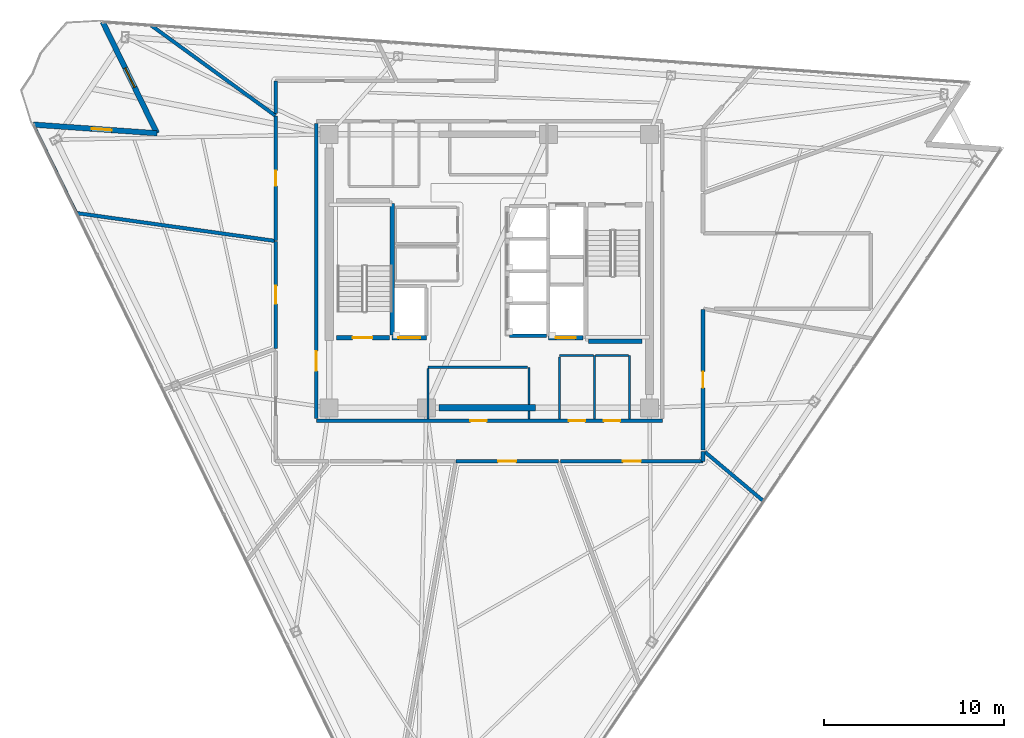
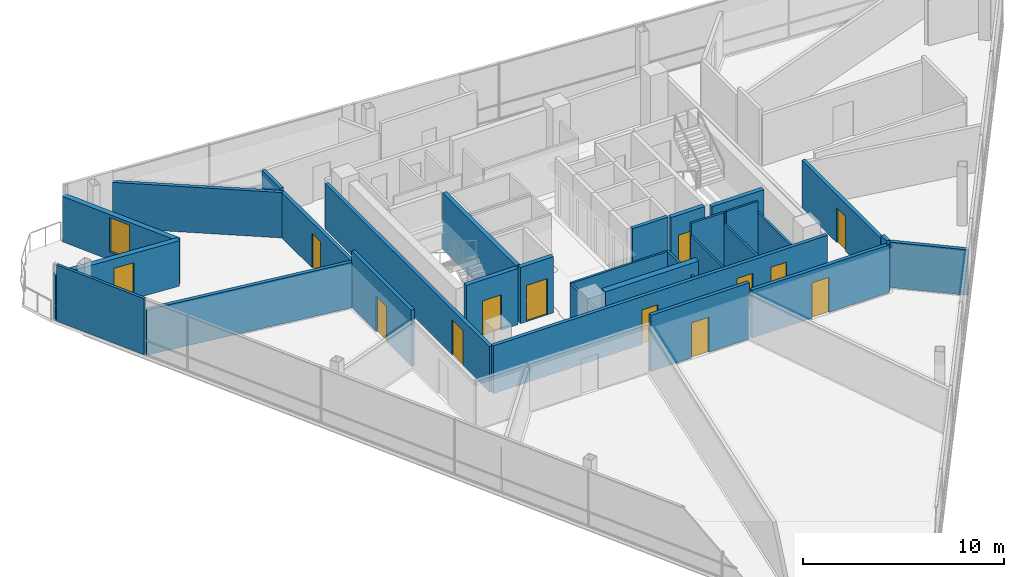
# One storey, part 9 of 14: 31 walls, 13 doors, 1 window, 14 openings.
"""IFC4 building model written with IfcOpenShell, lengths in metres."""

from ifc_helpers import new_model, si_unit, direction, frame, frame_2d, origin, place, context, subcontext, project, spatial, rectangle, extrude, material, layer, layer_set, type_object, element, fill, save


model = new_model("IFC4")

# Units and contexts
model_context = context("Model", 3, precision=1e-05, world=origin(), true_north=direction((0.0, 1.0)))
body_context = subcontext(model_context, "Body", "Model", "MODEL_VIEW")
ifc_project = project(units=[si_unit("LENGTHUNIT", "METRE"), si_unit("AREAUNIT", "SQUARE_METRE"), si_unit("VOLUMEUNIT", "CUBIC_METRE"), si_unit("PLANEANGLEUNIT", "RADIAN"), si_unit("MASSUNIT", "GRAM", prefix="KILO")], contexts=[model_context])

# Site, building, storey
site_placement = place(None, origin())
site = spatial("IfcSite", under=ifc_project, at=site_placement, CompositionType="ELEMENT")
building_placement = place(site_placement, origin())
building = spatial("IfcBuilding", under=site, at=building_placement, Name="Tharavind Bronze Gate", CompositionType="ELEMENT")
storey_placement = place(building_placement, frame((0.0, 0.0, 237.85009765625)))
storey = spatial("IfcBuildingStorey", under=building, at=storey_placement, Name="L61", CompositionType="ELEMENT", Elevation=237.85009765625)

# Wall, opening, window
ifc_material_1 = material(Name="Concrete C40/50", Category="concrete")
ifc_layer_1 = layer(ifc_material_1, 0.300048828125)
ifc_layer_set_1 = layer_set([ifc_layer_1], Name="Concrete C40/50")
wall_type_1 = type_object("IfcWallType", Name="EXTERIOR SPANDREL WALL 300", PredefinedType="STANDARD", material=ifc_layer_set_1)
wall_1_placement = place(storey_placement, frame((-21.489990234375, 13.844482421875, 0.0), z_axis=(0.0, 0.0, 1.0), x_axis=(0.438391471143, -0.898784133165, 0.0)))
wall_1 = element("IfcWall", 1, at=wall_1_placement, inside=storey, type_object=wall_type_1, Name="L61 notch cheek wall 1A", PredefinedType="STANDARD", context=body_context, shape_type="SweptSolid", body=[
    extrude(rectangle(XDim=6.8798828125, YDim=0.300048828125, at=frame_2d((3.43994140625, 0.0))), origin(), (0.0, 0.0, 1.0), 2.764892578125),
])
opening_1_placement = place(wall_1_placement, frame((2.840087890625, 0.0, 0.485107421875)))
opening_1 = element("IfcOpeningElement", 2, at=opening_1_placement, cuts=wall_1, Name="Opening W01", PredefinedType="OPENING", context=body_context, shape_type="SweptSolid", body=[
    extrude(rectangle(XDim=1.199951171875, YDim=2.10009765625, at=frame_2d((0.60009765625, 1.050048828125))), frame((0.0, 0.15990234375, 0.0), z_axis=(0.0, -1.0, 0.0), x_axis=(1.0, 0.0, 0.0)), (0.0, 0.0, 1.0), 0.320048828125),
])
ifc_material_2 = material(Name="Bronze Aluminium & Low-E Glass", Category="aluminium")
window_type = type_object("IfcWindowType", Name="FIXED BRONZE CASEMENT WINDOW 1200X2100", PartitioningType="SINGLE_PANEL", PredefinedType="WINDOW", material=ifc_material_2)
window_placement = place(opening_1_placement, origin())
window = element("IfcWindow", 3, at=window_placement, inside=storey, type_object=window_type, Name="L61 exterior window WL-L61-NCB1-01", OverallHeight=2.10009765625, OverallWidth=1.199951171875, PartitioningType="SINGLE_PANEL", PredefinedType="WINDOW", context=body_context, shape_type="SweptSolid", body=[
    extrude(rectangle(XDim=1.199951171875, YDim=2.10009765625, at=frame_2d((0.60009765625, 1.050048828125))), frame((0.0, 0.030029296875, 0.0), z_axis=(0.0, -1.0, 0.0), x_axis=(1.0, 0.0, 0.0)), (0.0, 0.0, 1.0), 0.06005859375),
])
fill(opening_1, window)

# Wall, opening, door
wall_2_placement = place(storey_placement, frame((-18.473876953125, 7.660888671875, 0.0), z_axis=(0.0, 0.0, 1.0), x_axis=(-0.997565982203, 0.069728840176, 0.0)))
wall_2 = element("IfcWall", 4, at=wall_2_placement, inside=storey, type_object=wall_type_1, Name="L61 notch cheek wall 1B", PredefinedType="STANDARD", context=body_context, shape_type="SweptSolid", body=[
    extrude(rectangle(XDim=6.880126953125, YDim=0.300048828125, at=frame_2d((3.43994140625, 0.0))), origin(), (0.0, 0.0, 1.0), 2.764892578125),
])
opening_2_placement = place(wall_2_placement, frame((2.531982421875, 0.0, 0.0)))
opening_2 = element("IfcOpeningElement", 5, at=opening_2_placement, cuts=wall_2, Name="Opening ED04", PredefinedType="OPENING", context=body_context, shape_type="SweptSolid", body=[
    extrude(rectangle(XDim=1.10009765625, YDim=2.199951171875, at=frame_2d((0.550048828125, 1.10009765625))), frame((0.0, 0.15990234375, 0.0), z_axis=(0.0, -1.0, 0.0), x_axis=(1.0, 0.0, 0.0)), (0.0, 0.0, 1.0), 0.320048828125),
])
ifc_material_3 = material(Name="Bronze Aluminium & Toughened Glass", Category="aluminium")
door_type_1 = type_object("IfcDoorType", Name="TREE BALCONY ACCESS DOOR 1100X2200", OperationType="SINGLE_SWING_LEFT", PredefinedType="DOOR", material=ifc_material_3)
door_1_placement = place(opening_2_placement, frame((1.10009765625, 0.0, 0.0), z_axis=(0.0, 0.0, 1.0), x_axis=(-1.0, 0.0, 0.0)))
door_1 = element("IfcDoor", 6, at=door_1_placement, inside=storey, type_object=door_type_1, Name="L61 tree balcony access door", OperationType="SINGLE_SWING_LEFT", OverallHeight=2.199951171875, OverallWidth=1.10009765625, PredefinedType="DOOR", context=body_context, shape_type="SweptSolid", body=[
    extrude(rectangle(XDim=1.10009765625, YDim=2.199951171875, at=frame_2d((0.550048828125, 1.10009765625))), frame((0.0, 0.02490234375, 0.0), z_axis=(0.0, -1.0, 0.0), x_axis=(1.0, 0.0, 0.0)), (0.0, 0.0, 1.0), 0.050048828125),
])
fill(opening_2, door_1)

# Wall, openings, doors
ifc_material_4 = material(Name="Aerated Concrete Block", Category="concrete")
ifc_layer_2 = layer(ifc_material_4, 0.199951171875)
ifc_layer_set_2 = layer_set([ifc_layer_2], Name="Aerated Concrete Block")
wall_type_2 = type_object("IfcWallType", Name="FIRE RATED PARTITION 200", PredefinedType="PARTITIONING", material=ifc_layer_set_2)
wall_3_placement = place(storey_placement, frame((-9.6201171875, -8.320068359375, 0.0), z_axis=(0.0, 0.0, 1.0), x_axis=(1.0, 0.0, 0.0)))
wall_3 = element("IfcWall", 7, at=wall_3_placement, inside=storey, type_object=wall_type_2, Name="L61 south core corridor wall", PredefinedType="PARTITIONING", context=body_context, shape_type="SweptSolid", body=[
    extrude(rectangle(XDim=19.240234375, YDim=0.199951171875, at=frame_2d((9.6201171875, 0.0))), origin(), (0.0, 0.0, 1.0), 2.914794921875),
])
opening_3_placement = place(wall_3_placement, frame((8.570068359375, 0.0, 0.0)))
opening_3 = element("IfcOpeningElement", 8, at=opening_3_placement, cuts=wall_3, Name="Opening ID07", PredefinedType="OPENING", context=body_context, shape_type="SweptSolid", body=[
    extrude(rectangle(XDim=0.89990234375, YDim=2.10009765625, at=frame_2d((0.449951171875, 1.050048828125))), frame((0.0, 0.11009765625, 0.0), z_axis=(0.0, -1.0, 0.0), x_axis=(1.0, 0.0, 0.0)), (0.0, 0.0, 1.0), 0.219951171875),
])
opening_4_placement = place(wall_3_placement, frame((14.044921875, 0.0, 0.0)))
opening_4 = element("IfcOpeningElement", 9, at=opening_4_placement, cuts=wall_3, Name="Opening ID07", PredefinedType="OPENING", context=body_context, shape_type="SweptSolid", body=[
    extrude(rectangle(XDim=0.89990234375, YDim=2.10009765625, at=frame_2d((0.449951171875, 1.050048828125))), frame((0.0, 0.11009765625, 0.0), z_axis=(0.0, -1.0, 0.0), x_axis=(1.0, 0.0, 0.0)), (0.0, 0.0, 1.0), 0.219951171875),
])
opening_5_placement = place(wall_3_placement, frame((15.9951171875, 0.0, 0.0)))
opening_5 = element("IfcOpeningElement", 10, at=opening_5_placement, cuts=wall_3, Name="Opening ID07", PredefinedType="OPENING", context=body_context, shape_type="SweptSolid", body=[
    extrude(rectangle(XDim=0.89990234375, YDim=2.10009765625, at=frame_2d((0.449951171875, 1.050048828125))), frame((0.0, 0.11009765625, 0.0), z_axis=(0.0, -1.0, 0.0), x_axis=(1.0, 0.0, 0.0)), (0.0, 0.0, 1.0), 0.219951171875),
])
ifc_material_5 = material(Name="Galvanised Fire Steel", Category="steel")
door_type_2 = type_object("IfcDoorType", Name="PLANT AND RISER FIRE DOOR 900X2100", OperationType="SINGLE_SWING_LEFT", PredefinedType="DOOR", material=ifc_material_5)
door_2_placement = place(opening_3_placement, origin())
door_2 = element("IfcDoor", 11, at=door_2_placement, inside=storey, type_object=door_type_2, Name="L61 Core BMS Control Room fire door", OperationType="SINGLE_SWING_LEFT", OverallHeight=2.10009765625, OverallWidth=0.89990234375, PredefinedType="DOOR", context=body_context, shape_type="SweptSolid", body=[
    extrude(rectangle(XDim=0.89990234375, YDim=2.10009765625, at=frame_2d((0.449951171875, 1.050048828125))), frame((0.0, 0.02490234375, 0.0), z_axis=(0.0, -1.0, 0.0), x_axis=(1.0, 0.0, 0.0)), (0.0, 0.0, 1.0), 0.050048828125),
])
fill(opening_3, door_2)
door_3_placement = place(opening_4_placement, origin())
door_3 = element("IfcDoor", 12, at=door_3_placement, inside=storey, type_object=door_type_2, Name="L61 Comms Patch Room fire door", OperationType="SINGLE_SWING_LEFT", OverallHeight=2.10009765625, OverallWidth=0.89990234375, PredefinedType="DOOR", context=body_context, shape_type="SweptSolid", body=[
    extrude(rectangle(XDim=0.89990234375, YDim=2.10009765625, at=frame_2d((0.449951171875, 1.050048828125))), frame((0.0, 0.02490234375, 0.0), z_axis=(0.0, -1.0, 0.0), x_axis=(1.0, 0.0, 0.0)), (0.0, 0.0, 1.0), 0.050048828125),
])
fill(opening_4, door_3)
door_4_placement = place(opening_5_placement, origin())
door_4 = element("IfcDoor", 13, at=door_4_placement, inside=storey, type_object=door_type_2, Name="L61 Housekeeping Store fire door", OperationType="SINGLE_SWING_LEFT", OverallHeight=2.10009765625, OverallWidth=0.89990234375, PredefinedType="DOOR", context=body_context, shape_type="SweptSolid", body=[
    extrude(rectangle(XDim=0.89990234375, YDim=2.10009765625, at=frame_2d((0.449951171875, 1.050048828125))), frame((0.0, 0.02490234375, 0.0), z_axis=(0.0, -1.0, 0.0), x_axis=(1.0, 0.0, 0.0)), (0.0, 0.0, 1.0), 0.050048828125),
])
fill(opening_5, door_4)

# Wall, opening, door
wall_4_placement = place(storey_placement, frame((-9.6201171875, 8.199951171875, 0.0), z_axis=(0.0, 0.0, 1.0), x_axis=(0.0, -1.0, 0.0)))
wall_4 = element("IfcWall", 14, at=wall_4_placement, inside=storey, type_object=wall_type_2, Name="L61 west core corridor wall", PredefinedType="PARTITIONING", context=body_context, shape_type="SweptSolid", body=[
    extrude(rectangle(XDim=16.39990234375, YDim=0.199951171875, at=frame_2d((8.199951171875, 0.0))), origin(), (0.0, 0.0, 1.0), 2.764892578125),
])
opening_6_placement = place(wall_4_placement, frame((12.64990234375, 0.0, 0.0)))
opening_6 = element("IfcOpeningElement", 15, at=opening_6_placement, cuts=wall_4, Name="Opening ID01", PredefinedType="OPENING", context=body_context, shape_type="SweptSolid", body=[
    extrude(rectangle(XDim=1.10009765625, YDim=2.14990234375, at=frame_2d((0.550048828125, 1.074951171875))), frame((0.0, 0.11009765625, 0.0), z_axis=(0.0, -1.0, 0.0), x_axis=(1.0, 0.0, 0.0)), (0.0, 0.0, 1.0), 0.219951171875),
])
ifc_material_6 = material(Name="Fire-Rated Steel", Category="steel")
door_type_3 = type_object("IfcDoorType", Name="STAIR CORE FIRE DOOR 1100X2150", OperationType="SINGLE_SWING_LEFT", PredefinedType="DOOR", material=ifc_material_6)
door_5_placement = place(opening_6_placement, frame((1.10009765625, 0.0, 0.0), z_axis=(0.0, 0.0, 1.0), x_axis=(-1.0, 0.0, 0.0)))
door_5 = element("IfcDoor", 16, at=door_5_placement, inside=storey, type_object=door_type_3, Name="L61 south west stair lobby fire door", OperationType="SINGLE_SWING_LEFT", OverallHeight=2.14990234375, OverallWidth=1.10009765625, PredefinedType="DOOR", context=body_context, shape_type="SweptSolid", body=[
    extrude(rectangle(XDim=1.10009765625, YDim=2.14990234375, at=frame_2d((0.550048828125, 1.074951171875))), frame((0.0, 0.02490234375, 0.0), z_axis=(0.0, -1.0, 0.0), x_axis=(1.0, 0.0, 0.0)), (0.0, 0.0, 1.0), 0.050048828125),
])
fill(opening_6, door_5)

# Wall
wall_5_placement = place(storey_placement, frame((-18.790283203125, 13.65185546875, 0.0), z_axis=(0.0, 0.0, 1.0), x_axis=(0.809024412074, -0.58777504257, 0.0)))
element("IfcWall", 17, at=wall_5_placement, inside=storey, type_object=wall_type_2, Name="L61 Public Restrooms Block partition", PredefinedType="PARTITIONING", context=body_context, shape_type="SweptSolid", body=[
    extrude(rectangle(XDim=8.528564453125, YDim=0.199951171875, at=frame_2d((4.26416015625, 0.0))), origin(), (0.0, 0.0, 1.0), 2.764892578125),
])

# Wall, opening, door
wall_6_placement = place(storey_placement, frame((-11.8798828125, 8.61865234375, 0.0), z_axis=(0.0, 0.0, 1.0), x_axis=(0.0, -1.0, 0.0)))
wall_6 = element("IfcWall", 18, at=wall_6_placement, inside=storey, type_object=wall_type_2, Name="L61 Public Restrooms Block partition", PredefinedType="PARTITIONING", context=body_context, shape_type="SweptSolid", body=[
    extrude(rectangle(XDim=6.920166015625, YDim=0.199951171875, at=frame_2d((3.4599609375, 0.0))), origin(), (0.0, 0.0, 1.0), 2.764892578125),
])
opening_7_placement = place(wall_6_placement, frame((3.034912109375, 0.0, 0.0)))
opening_7 = element("IfcOpeningElement", 19, at=opening_7_placement, cuts=wall_6, Name="Opening ID06", PredefinedType="OPENING", context=body_context, shape_type="SweptSolid", body=[
    extrude(rectangle(XDim=0.85009765625, YDim=2.10009765625, at=frame_2d((0.425048828125, 1.050048828125))), frame((0.0, 0.11009765625, 0.0), z_axis=(0.0, -1.0, 0.0), x_axis=(1.0, 0.0, 0.0)), (0.0, 0.0, 1.0), 0.219951171875),
])
ifc_material_7 = material(Name="Moisture-Resistant Timber", Category="wood")
door_type_4 = type_object("IfcDoorType", Name="BATHROOM PRIVACY DOOR 850X2100", OperationType="SINGLE_SWING_RIGHT", PredefinedType="DOOR", material=ifc_material_7)
door_6_placement = place(opening_7_placement, origin())
door_6 = element("IfcDoor", 20, at=door_6_placement, inside=storey, type_object=door_type_4, Name="L61 Public Restrooms Block door", OperationType="SINGLE_SWING_RIGHT", OverallHeight=2.10009765625, OverallWidth=0.85009765625, PredefinedType="DOOR", context=body_context, shape_type="SweptSolid", body=[
    extrude(rectangle(XDim=0.85009765625, YDim=2.10009765625, at=frame_2d((0.425048828125, 1.050048828125))), frame((0.0, 0.02490234375, 0.0), z_axis=(0.0, -1.0, 0.0), x_axis=(1.0, 0.0, 0.0)), (0.0, 0.0, 1.0), 0.050048828125),
])
fill(opening_7, door_6)

# Walls
wall_7_placement = place(storey_placement, frame((-11.908447265625, 1.673583984375, 0.0), z_axis=(0.0, 0.0, 1.0), x_axis=(-0.990268632002, 0.139169093096, 0.0)))
element("IfcWall", 21, at=wall_7_placement, inside=storey, type_object=wall_type_2, Name="L61 Public Restrooms Block partition", PredefinedType="PARTITIONING", context=body_context, shape_type="SweptSolid", body=[
    extrude(rectangle(XDim=11.12548828125, YDim=0.199951171875, at=frame_2d((5.562744140625, 0.0))), origin(), (0.0, 0.0, 1.0), 2.764892578125),
])
wall_8_placement = place(storey_placement, frame((-11.8798828125, 10.579345703125, 0.0), z_axis=(0.0, 0.0, 1.0), x_axis=(0.0, -1.0, 0.0)))
element("IfcWall", 22, at=wall_8_placement, inside=storey, type_object=wall_type_2, Name="L61 Advisory Office 2 partition", PredefinedType="PARTITIONING", context=body_context, shape_type="SweptSolid", body=[
    extrude(rectangle(XDim=1.818359375, YDim=0.199951171875, at=frame_2d((0.9091796875, 0.0))), origin(), (0.0, 0.0, 1.0), 2.914794921875),
])

# Wall, opening, door
wall_9_placement = place(storey_placement, frame((-11.8798828125, 1.64794921875, 0.0), z_axis=(0.0, 0.0, 1.0), x_axis=(0.0, -1.0, 0.0)))
wall_9 = element("IfcWall", 23, at=wall_9_placement, inside=storey, type_object=wall_type_2, Name="L61 Project Office 3 partition", PredefinedType="PARTITIONING", context=body_context, shape_type="SweptSolid", body=[
    extrude(rectangle(XDim=5.954345703125, YDim=0.199951171875, at=frame_2d((2.97705078125, 0.0))), origin(), (0.0, 0.0, 1.0), 3.419921875),
])
opening_8_placement = place(wall_9_placement, frame((2.47705078125, 0.0, 0.0)))
opening_8 = element("IfcOpeningElement", 24, at=opening_8_placement, cuts=wall_9, Name="Opening ID04", PredefinedType="OPENING", context=body_context, shape_type="SweptSolid", body=[
    extrude(rectangle(XDim=1.0, YDim=2.14990234375, at=frame_2d((0.5, 1.074951171875))), frame((0.0, 0.11009765625, 0.0), z_axis=(0.0, -1.0, 0.0), x_axis=(1.0, 0.0, 0.0)), (0.0, 0.0, 1.0), 0.219951171875),
])
ifc_material_8 = material(Name="Bronze Framed Acoustic Timber", Category="wood")
door_type_5 = type_object("IfcDoorType", Name="OFFICE TENANCY DOOR 1000X2150", OperationType="SINGLE_SWING_RIGHT", PredefinedType="DOOR", material=ifc_material_8)
door_7_placement = place(opening_8_placement, origin())
door_7 = element("IfcDoor", 25, at=door_7_placement, inside=storey, type_object=door_type_5, Name="L61 Project Office 3 door", OperationType="SINGLE_SWING_RIGHT", OverallHeight=2.14990234375, OverallWidth=1.0, PredefinedType="DOOR", context=body_context, shape_type="SweptSolid", body=[
    extrude(rectangle(XDim=1.0, YDim=2.14990234375, at=frame_2d((0.5, 1.074951171875))), frame((0.0, 0.02490234375, 0.0), z_axis=(0.0, -1.0, 0.0), x_axis=(1.0, 0.0, 0.0)), (0.0, 0.0, 1.0), 0.050048828125),
])
fill(opening_8, door_7)

wall_10_placement = place(storey_placement, frame((-1.844482421875, -10.580078125, 0.0), z_axis=(0.0, 0.0, 1.0), x_axis=(1.0, 0.0, 0.0)))
wall_10 = element("IfcWall", 26, at=wall_10_placement, inside=storey, type_object=wall_type_2, Name="L61 Research Office 6 partition", PredefinedType="PARTITIONING", context=body_context, shape_type="SweptSolid", body=[
    extrude(rectangle(XDim=5.677734375, YDim=0.199951171875, at=frame_2d((2.8388671875, 0.0))), origin(), (0.0, 0.0, 1.0), 3.419921875),
])
opening_9_placement = place(wall_10_placement, frame((2.339111328125, 0.0, 0.0)))
opening_9 = element("IfcOpeningElement", 27, at=opening_9_placement, cuts=wall_10, Name="Opening ID04", PredefinedType="OPENING", context=body_context, shape_type="SweptSolid", body=[
    extrude(rectangle(XDim=1.0, YDim=2.14990234375, at=frame_2d((0.5, 1.074951171875))), frame((0.0, 0.11009765625, 0.0), z_axis=(0.0, -1.0, 0.0), x_axis=(1.0, 0.0, 0.0)), (0.0, 0.0, 1.0), 0.219951171875),
])
door_8_placement = place(opening_9_placement, origin())
door_8 = element("IfcDoor", 28, at=door_8_placement, inside=storey, type_object=door_type_5, Name="L61 Research Office 6 door", OperationType="SINGLE_SWING_RIGHT", OverallHeight=2.14990234375, OverallWidth=1.0, PredefinedType="DOOR", context=body_context, shape_type="SweptSolid", body=[
    extrude(rectangle(XDim=1.0, YDim=2.14990234375, at=frame_2d((0.5, 1.074951171875))), frame((0.0, 0.02490234375, 0.0), z_axis=(0.0, -1.0, 0.0), x_axis=(1.0, 0.0, 0.0)), (0.0, 0.0, 1.0), 0.050048828125),
])
fill(opening_9, door_8)

wall_11_placement = place(storey_placement, frame((3.962646484375, -10.580078125, 0.0), z_axis=(0.0, 0.0, 1.0), x_axis=(1.0, 0.0, 0.0)))
wall_11 = element("IfcWall", 29, at=wall_11_placement, inside=storey, type_object=wall_type_2, Name="L61 Open Office partition", PredefinedType="PARTITIONING", context=body_context, shape_type="SweptSolid", body=[
    extrude(rectangle(XDim=7.916748046875, YDim=0.199951171875, at=frame_2d((3.95849609375, 0.0))), origin(), (0.0, 0.0, 1.0), 2.914794921875),
])
opening_10_placement = place(wall_11_placement, frame((3.4580078125, 0.0, 0.0)))
opening_10 = element("IfcOpeningElement", 30, at=opening_10_placement, cuts=wall_11, Name="Opening ID04", PredefinedType="OPENING", context=body_context, shape_type="SweptSolid", body=[
    extrude(rectangle(XDim=1.0, YDim=2.14990234375, at=frame_2d((0.5, 1.074951171875))), frame((0.0, 0.11009765625, 0.0), z_axis=(0.0, -1.0, 0.0), x_axis=(1.0, 0.0, 0.0)), (0.0, 0.0, 1.0), 0.219951171875),
])
door_9_placement = place(opening_10_placement, origin())
door_9 = element("IfcDoor", 31, at=door_9_placement, inside=storey, type_object=door_type_5, Name="L61 Open Office door", OperationType="SINGLE_SWING_RIGHT", OverallHeight=2.14990234375, OverallWidth=1.0, PredefinedType="DOOR", context=body_context, shape_type="SweptSolid", body=[
    extrude(rectangle(XDim=1.0, YDim=2.14990234375, at=frame_2d((0.5, 1.074951171875))), frame((0.0, 0.02490234375, 0.0), z_axis=(0.0, -1.0, 0.0), x_axis=(1.0, 0.0, 0.0)), (0.0, 0.0, 1.0), 0.050048828125),
])
fill(opening_10, door_9)

# Walls
wall_12_placement = place(storey_placement, frame((11.8798828125, -10.579345703125, 0.0), z_axis=(0.0, 0.0, 1.0), x_axis=(0.0, 1.0, 0.0)))
element("IfcWall", 32, at=wall_12_placement, inside=storey, type_object=wall_type_2, Name="L61 Open Office partition", PredefinedType="PARTITIONING", context=body_context, shape_type="SweptSolid", body=[
    extrude(rectangle(XDim=0.55712890625, YDim=0.199951171875, at=frame_2d((0.278564453125, 0.0))), origin(), (0.0, 0.0, 1.0), 3.114990234375),
])
wall_13_placement = place(storey_placement, frame((11.985107421875, -10.056640625, 0.0), z_axis=(0.0, 0.0, 1.0), x_axis=(0.766014391555, -0.642823422045, 0.0)))
element("IfcWall", 33, at=wall_13_placement, inside=storey, type_object=wall_type_2, Name="L61 Open Office partition", PredefinedType="PARTITIONING", context=body_context, shape_type="SweptSolid", body=[
    extrude(rectangle(XDim=4.22509765625, YDim=0.199951171875, at=frame_2d((2.112548828125, 0.0))), origin(), (0.0, 0.0, 1.0), 2.764892578125),
])

# Wall, opening, door
wall_14_placement = place(storey_placement, frame((11.8798828125, -9.956787109375, 0.0), z_axis=(0.0, 0.0, 1.0), x_axis=(0.0, 1.0, 0.0)))
wall_14 = element("IfcWall", 34, at=wall_14_placement, inside=storey, type_object=wall_type_2, Name="L61 Reference Archive Store partition", PredefinedType="PARTITIONING", context=body_context, shape_type="SweptSolid", body=[
    extrude(rectangle(XDim=7.831787109375, YDim=0.199951171875, at=frame_2d((3.916015625, 0.0))), origin(), (0.0, 0.0, 1.0), 2.914794921875),
])
opening_11_placement = place(wall_14_placement, frame((3.466064453125, 0.0, 0.0)))
opening_11 = element("IfcOpeningElement", 35, at=opening_11_placement, cuts=wall_14, Name="Opening ID07", PredefinedType="OPENING", context=body_context, shape_type="SweptSolid", body=[
    extrude(rectangle(XDim=0.89990234375, YDim=2.10009765625, at=frame_2d((0.449951171875, 1.050048828125))), frame((0.0, 0.11009765625, 0.0), z_axis=(0.0, -1.0, 0.0), x_axis=(1.0, 0.0, 0.0)), (0.0, 0.0, 1.0), 0.219951171875),
])
door_10_placement = place(opening_11_placement, origin())
door_10 = element("IfcDoor", 36, at=door_10_placement, inside=storey, type_object=door_type_2, Name="L61 Reference Archive Store door", OperationType="SINGLE_SWING_LEFT", OverallHeight=2.10009765625, OverallWidth=0.89990234375, PredefinedType="DOOR", context=body_context, shape_type="SweptSolid", body=[
    extrude(rectangle(XDim=0.89990234375, YDim=2.10009765625, at=frame_2d((0.449951171875, 1.050048828125))), frame((0.0, 0.02490234375, 0.0), z_axis=(0.0, -1.0, 0.0), x_axis=(1.0, 0.0, 0.0)), (0.0, 0.0, 1.0), 0.050048828125),
])
fill(opening_11, door_10)

# Walls
ifc_material_9 = material(Name="Metal Stud Gypsum Partition", Category="gypsum")
ifc_layer_3 = layer(ifc_material_9, 0.1201171875)
ifc_layer_set_3 = layer_set([ifc_layer_3], Name="Metal Stud Gypsum Partition")
wall_type_3 = type_object("IfcWallType", Name="INTERIOR PARTITION WALL 120", PredefinedType="PARTITIONING", material=ifc_layer_set_3)
wall_15_placement = place(storey_placement, frame((2.199951171875, -8.215087890625, 0.0), z_axis=(0.0, 0.0, 1.0), x_axis=(0.0, 1.0, 0.0)))
element("IfcWall", 37, at=wall_15_placement, inside=storey, type_object=wall_type_3, Name="L61 Core BMS Control Room partition 2", PredefinedType="PARTITIONING", context=body_context, shape_type="SweptSolid", body=[
    extrude(rectangle(XDim=0.43505859375, YDim=0.1201171875, at=frame_2d((0.217529296875, 0.0))), origin(), (0.0, 0.0, 1.0), 2.71484375),
])
wall_16_placement = place(storey_placement, frame((2.199951171875, -7.419921875, 0.0), z_axis=(0.0, 0.0, 1.0), x_axis=(0.0, 1.0, 0.0)))
element("IfcWall", 38, at=wall_16_placement, inside=storey, type_object=wall_type_3, Name="L61 Core BMS Control Room partition 2", PredefinedType="PARTITIONING", context=body_context, shape_type="SweptSolid", body=[
    extrude(rectangle(XDim=2.06982421875, YDim=0.1201171875, at=frame_2d((1.034912109375, 0.0))), origin(), (0.0, 0.0, 1.0), 2.71484375),
])
wall_17_placement = place(storey_placement, frame((2.135009765625, -5.35009765625, 0.0), z_axis=(0.0, 0.0, 1.0), x_axis=(-1.0, 0.0, 0.0)))
element("IfcWall", 39, at=wall_17_placement, inside=storey, type_object=wall_type_3, Name="L61 Core BMS Control Room partition 3", PredefinedType="PARTITIONING", context=body_context, shape_type="SweptSolid", body=[
    extrude(rectangle(XDim=5.534912109375, YDim=0.1201171875, at=frame_2d((2.767578125, 0.0))), origin(), (0.0, 0.0, 1.0), 2.71484375),
])
wall_18_placement = place(storey_placement, frame((-3.39990234375, -5.4150390625, 0.0), z_axis=(0.0, 0.0, 1.0), x_axis=(0.0, -1.0, 0.0)))
element("IfcWall", 40, at=wall_18_placement, inside=storey, type_object=wall_type_3, Name="L61 Core BMS Control Room partition 4", PredefinedType="PARTITIONING", context=body_context, shape_type="SweptSolid", body=[
    extrude(rectangle(XDim=2.800048828125, YDim=0.1201171875, at=frame_2d((1.39990234375, 0.0))), origin(), (0.0, 0.0, 1.0), 2.71484375),
])
wall_19_placement = place(storey_placement, frame((5.85009765625, -8.215087890625, 0.0), z_axis=(0.0, 0.0, 1.0), x_axis=(0.0, 1.0, 0.0)))
element("IfcWall", 41, at=wall_19_placement, inside=storey, type_object=wall_type_3, Name="L61 Comms Patch Room partition 2", PredefinedType="PARTITIONING", context=body_context, shape_type="SweptSolid", body=[
    extrude(rectangle(XDim=3.51513671875, YDim=0.1201171875, at=frame_2d((1.757568359375, 0.0))), origin(), (0.0, 0.0, 1.0), 2.71484375),
])
wall_20_placement = place(storey_placement, frame((5.784912109375, -4.699951171875, 0.0), z_axis=(0.0, 0.0, 1.0), x_axis=(-1.0, 0.0, 0.0)))
element("IfcWall", 42, at=wall_20_placement, inside=storey, type_object=wall_type_3, Name="L61 Comms Patch Room partition 3", PredefinedType="PARTITIONING", context=body_context, shape_type="SweptSolid", body=[
    extrude(rectangle(XDim=1.885009765625, YDim=0.1201171875, at=frame_2d((0.9423828125, 0.0))), origin(), (0.0, 0.0, 1.0), 3.419921875),
])
wall_21_placement = place(storey_placement, frame((3.89990234375, -4.764892578125, 0.0), z_axis=(0.0, 0.0, 1.0), x_axis=(0.0, -1.0, 0.0)))
element("IfcWall", 43, at=wall_21_placement, inside=storey, type_object=wall_type_3, Name="L61 Comms Patch Room partition 4", PredefinedType="PARTITIONING", context=body_context, shape_type="SweptSolid", body=[
    extrude(rectangle(XDim=3.4501953125, YDim=0.1201171875, at=frame_2d((1.72509765625, 0.0))), origin(), (0.0, 0.0, 1.0), 2.71484375),
])
wall_22_placement = place(storey_placement, frame((7.800048828125, -8.215087890625, 0.0), z_axis=(0.0, 0.0, 1.0), x_axis=(0.0, 1.0, 0.0)))
element("IfcWall", 44, at=wall_22_placement, inside=storey, type_object=wall_type_3, Name="L61 Housekeeping Store partition 2", PredefinedType="PARTITIONING", context=body_context, shape_type="SweptSolid", body=[
    extrude(rectangle(XDim=3.51513671875, YDim=0.1201171875, at=frame_2d((1.757568359375, 0.0))), origin(), (0.0, 0.0, 1.0), 2.71484375),
])
wall_23_placement = place(storey_placement, frame((7.735107421875, -4.699951171875, 0.0), z_axis=(0.0, 0.0, 1.0), x_axis=(-1.0, 0.0, 0.0)))
element("IfcWall", 45, at=wall_23_placement, inside=storey, type_object=wall_type_3, Name="L61 Housekeeping Store partition 3", PredefinedType="PARTITIONING", context=body_context, shape_type="SweptSolid", body=[
    extrude(rectangle(XDim=1.820068359375, YDim=0.1201171875, at=frame_2d((0.91015625, 0.0))), origin(), (0.0, 0.0, 1.0), 3.419921875),
])
ifc_material_10 = material(Name="Twin Stud Acoustic Gypsum", Category="gypsum")
ifc_layer_4 = layer(ifc_material_10, 0.14990234375)
ifc_layer_set_4 = layer_set([ifc_layer_4], Name="Twin Stud Acoustic Gypsum")
wall_type_4 = type_object("IfcWallType", Name="INTERIOR PARTITION WALL 150", PredefinedType="PARTITIONING", material=ifc_layer_set_4)
wall_24_placement = place(storey_placement, frame((-22.94482421875, 3.23583984375, 0.0), z_axis=(0.0, 0.0, 1.0), x_axis=(-0.438366217032, 0.898796450686, 0.0)))
element("IfcWall", 46, at=wall_24_placement, inside=storey, type_object=wall_type_4, Name="L61 Public Restrooms Block partition", PredefinedType="PARTITIONING", context=body_context, shape_type="SweptSolid", body=[
    extrude(rectangle(XDim=5.278076171875, YDim=0.14990234375, at=frame_2d((2.63916015625, 0.0))), origin(), (0.0, 0.0, 1.0), 3.419921875),
])
ifc_material_11 = material(Name="Concrete C50/60", Category="concrete")
ifc_layer_5 = layer(ifc_material_11, 0.25)
ifc_layer_set_5 = layer_set([ifc_layer_5], Name="Concrete C50/60")
wall_type_5 = type_object("IfcWallType", Name="RC CORE SHEAR WALL 250", PredefinedType="SHEAR", material=ifc_layer_set_5)
wall_25_placement = place(storey_placement, frame((-5.39990234375, -3.550048828125, 0.0), z_axis=(0.0, 0.0, 1.0), x_axis=(0.0, 1.0, 0.0)))
element("IfcWall", 47, at=wall_25_placement, inside=storey, type_object=wall_type_5, Name="L61 ST1 shaft east wall", PredefinedType="SHEAR", context=body_context, shape_type="SweptSolid", body=[
    extrude(rectangle(XDim=7.300048828125, YDim=0.25, at=frame_2d((3.64990234375, 0.0))), origin(), (0.0, 0.0, 1.0), 3.419921875),
])

# Wall, opening, door
wall_26_placement = place(storey_placement, frame((-8.5, -3.699951171875, 0.0), z_axis=(0.0, 0.0, 1.0), x_axis=(1.0, 0.0, 0.0)))
wall_26 = element("IfcWall", 48, at=wall_26_placement, inside=storey, type_object=wall_type_5, Name="L61 ST1 shaft south wall", PredefinedType="SHEAR", context=body_context, shape_type="SweptSolid", body=[
    extrude(rectangle(XDim=2.949951171875, YDim=0.25, at=frame_2d((1.47509765625, 0.0))), origin(), (0.0, 0.0, 1.0), 3.419921875),
])
opening_12_placement = place(wall_26_placement, frame((0.89990234375, 0.0, 0.0)))
opening_12 = element("IfcOpeningElement", 49, at=opening_12_placement, cuts=wall_26, Name="Opening ID01", PredefinedType="OPENING", context=body_context, shape_type="SweptSolid", body=[
    extrude(rectangle(XDim=1.10009765625, YDim=2.14990234375, at=frame_2d((0.550048828125, 1.074951171875))), frame((0.0, 0.135, 0.0), z_axis=(0.0, -1.0, 0.0), x_axis=(1.0, 0.0, 0.0)), (0.0, 0.0, 1.0), 0.27),
])
door_11_placement = place(opening_12_placement, origin())
door_11 = element("IfcDoor", 50, at=door_11_placement, inside=storey, type_object=door_type_3, Name="L61 exit stair ST1 fire door", OperationType="SINGLE_SWING_LEFT", OverallHeight=2.14990234375, OverallWidth=1.10009765625, PredefinedType="DOOR", context=body_context, shape_type="SweptSolid", body=[
    extrude(rectangle(XDim=1.10009765625, YDim=2.14990234375, at=frame_2d((0.550048828125, 1.074951171875))), frame((0.0, 0.02490234375, 0.0), z_axis=(0.0, -1.0, 0.0), x_axis=(1.0, 0.0, 0.0)), (0.0, 0.0, 1.0), 0.050048828125),
])
fill(opening_12, door_11)

# Wall
wall_27_placement = place(storey_placement, frame((5.5, -3.89990234375, 0.0), z_axis=(0.0, 0.0, 1.0), x_axis=(1.0, 0.0, 0.0)))
element("IfcWall", 51, at=wall_27_placement, inside=storey, type_object=wall_type_5, Name="L61 ST2 shaft south wall", PredefinedType="SHEAR", context=body_context, shape_type="SweptSolid", body=[
    extrude(rectangle(XDim=3.0, YDim=0.25, at=frame_2d((1.5, 0.0))), origin(), (0.0, 0.0, 1.0), 3.419921875),
])

# Wall, opening, door
wall_28_placement = place(storey_placement, frame((-5.39990234375, -3.699951171875, 0.0), z_axis=(0.0, 0.0, 1.0), x_axis=(1.0, 0.0, 0.0)))
wall_28 = element("IfcWall", 52, at=wall_28_placement, inside=storey, type_object=wall_type_5, Name="L61 lift FFL1 shaft front wall", PredefinedType="SHEAR", context=body_context, shape_type="SweptSolid", body=[
    extrude(rectangle(XDim=1.89990234375, YDim=0.25, at=frame_2d((0.949951171875, 0.0))), origin(), (0.0, 0.0, 1.0), 3.419921875),
])
opening_13_placement = place(wall_28_placement, frame((0.35009765625, 0.0, 0.0)))
opening_13 = element("IfcOpeningElement", 53, at=opening_13_placement, cuts=wall_28, Name="Opening LD02", PredefinedType="OPENING", context=body_context, shape_type="SweptSolid", body=[
    extrude(rectangle(XDim=1.199951171875, YDim=2.199951171875, at=frame_2d((0.60009765625, 1.10009765625))), frame((0.0, 0.135, 0.0), z_axis=(0.0, -1.0, 0.0), x_axis=(1.0, 0.0, 0.0)), (0.0, 0.0, 1.0), 0.27),
])
ifc_material_12 = material(Name="Brushed Stainless Steel", Category="steel")
door_type_6 = type_object("IfcDoorType", Name="FIREFIGHTING LIFT LANDING DOOR 1200X2200", OperationType="SLIDING_TO_RIGHT", PredefinedType="DOOR", material=ifc_material_12)
door_12_placement = place(opening_13_placement, origin())
door_12 = element("IfcDoor", 54, at=door_12_placement, inside=storey, type_object=door_type_6, Name="L61 lift FFL1 sliding landing door", OperationType="SLIDING_TO_RIGHT", OverallHeight=2.199951171875, OverallWidth=1.199951171875, PredefinedType="DOOR", context=body_context, shape_type="SweptSolid", body=[
    extrude(rectangle(XDim=1.199951171875, YDim=2.199951171875, at=frame_2d((0.60009765625, 1.10009765625))), frame((0.0, 0.02490234375, 0.0), z_axis=(0.0, -1.0, 0.0), x_axis=(1.0, 0.0, 0.0)), (0.0, 0.0, 1.0), 0.050048828125),
])
fill(opening_13, door_12)

wall_29_placement = place(storey_placement, frame((3.280029296875, -3.699951171875, 0.0), z_axis=(0.0, 0.0, 1.0), x_axis=(1.0, 0.0, 0.0)))
wall_29 = element("IfcWall", 55, at=wall_29_placement, inside=storey, type_object=wall_type_5, Name="L61 lift SVL1 shaft front wall", PredefinedType="SHEAR", context=body_context, shape_type="SweptSolid", body=[
    extrude(rectangle(XDim=1.93994140625, YDim=0.25, at=frame_2d((0.969970703125, 0.0))), origin(), (0.0, 0.0, 1.0), 3.419921875),
])
opening_14_placement = place(wall_29_placement, frame((0.419921875, 0.0, 0.0)))
opening_14 = element("IfcOpeningElement", 56, at=opening_14_placement, cuts=wall_29, Name="Opening LD01", PredefinedType="OPENING", context=body_context, shape_type="SweptSolid", body=[
    extrude(rectangle(XDim=1.10009765625, YDim=2.199951171875, at=frame_2d((0.550048828125, 1.10009765625))), frame((0.0, 0.135, 0.0), z_axis=(0.0, -1.0, 0.0), x_axis=(1.0, 0.0, 0.0)), (0.0, 0.0, 1.0), 0.27),
])
ifc_material_13 = material(Name="Brushed Bronze Stainless Steel", Category="steel")
door_type_7 = type_object("IfcDoorType", Name="LIFT LANDING SLIDING DOOR 1100X2200", OperationType="SLIDING_TO_LEFT", PredefinedType="DOOR", material=ifc_material_13)
door_13_placement = place(opening_14_placement, origin())
door_13 = element("IfcDoor", 57, at=door_13_placement, inside=storey, type_object=door_type_7, Name="L61 lift SVL1 sliding landing door", OperationType="SLIDING_TO_LEFT", OverallHeight=2.199951171875, OverallWidth=1.10009765625, PredefinedType="DOOR", context=body_context, shape_type="SweptSolid", body=[
    extrude(rectangle(XDim=1.10009765625, YDim=2.199951171875, at=frame_2d((0.550048828125, 1.10009765625))), frame((0.0, 0.02490234375, 0.0), z_axis=(0.0, -1.0, 0.0), x_axis=(1.0, 0.0, 0.0)), (0.0, 0.0, 1.0), 0.050048828125),
])
fill(opening_14, door_13)

# Walls
ifc_layer_6 = layer(ifc_material_11, 0.35009765625)
ifc_layer_set_6 = layer_set([ifc_layer_6], Name="Concrete C50/60")
wall_type_6 = type_object("IfcWallType", Name="RC CORE SHEAR WALL 350", PredefinedType="SHEAR", material=ifc_layer_set_6)
wall_30_placement = place(storey_placement, frame((-2.800048828125, -7.60009765625, 0.0), z_axis=(0.0, 0.0, 1.0), x_axis=(1.0, 0.0, 0.0)))
element("IfcWall", 58, at=wall_30_placement, inside=storey, type_object=wall_type_6, Name="L61 south core shear wall", PredefinedType="SHEAR", context=body_context, shape_type="SweptSolid", body=[
    extrude(rectangle(XDim=5.380126953125, YDim=0.35009765625, at=frame_2d((2.68994140625, 0.0))), origin(), (0.0, 0.0, 1.0), 3.419921875),
])
ifc_layer_7 = layer(ifc_material_1, 0.199951171875)
ifc_layer_set_7 = layer_set([ifc_layer_7], Name="Concrete C40/50")
wall_type_7 = type_object("IfcWallType", Name="SHAFT ENCLOSURE WALL 200", PredefinedType="PARTITIONING", material=ifc_layer_set_7)
wall_31_placement = place(storey_placement, frame((1.1298828125, -3.60009765625, 0.0), z_axis=(0.0, 0.0, 1.0), x_axis=(1.0, 0.0, 0.0)))
element("IfcWall", 59, at=wall_31_placement, inside=storey, type_object=wall_type_7, Name="L61 lift PL9 shaft S enclosure wall", PredefinedType="PARTITIONING", context=body_context, shape_type="SweptSolid", body=[
    extrude(rectangle(XDim=2.045166015625, YDim=0.199951171875, at=frame_2d((1.0224609375, 0.0))), origin(), (0.0, 0.0, 1.0), 3.419921875),
])

save(model, "model.ifc")
